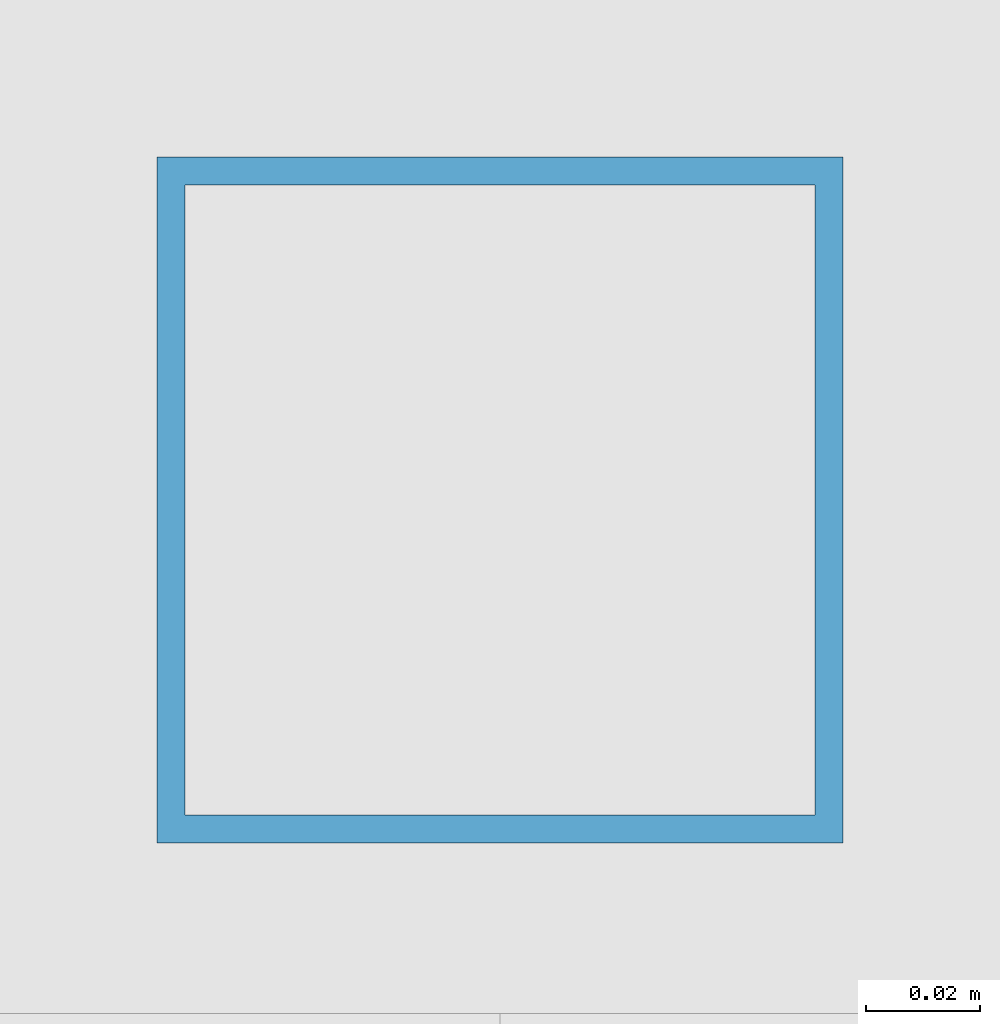
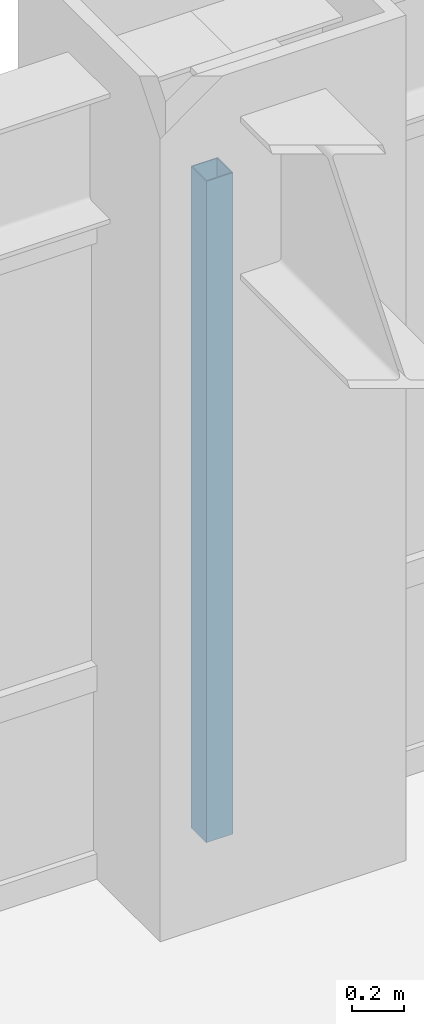
# One storey, part 16 of 28: 1 member, 1 element without a shape of its own.
"""IFC4 building model written with IfcOpenShell, lengths in metres."""

from ifc_helpers import new_model, si_unit, direction, frame, origin, origin_2d, place, context, subcontext, project, spatial, hollow_rectangle, extrude, source, transform, mapped, material, material_profile, profile_set, type_object, element, aggregate, save


model = new_model("IFC4")

# Units and contexts
model_context = context("Model", 3, precision=1e-05, world=origin(), true_north=direction((0.0, 1.0)))
body_context = subcontext(model_context, "Body", "Model", "MODEL_VIEW")
ifc_project = project(units=[si_unit("LENGTHUNIT", "METRE"), si_unit("AREAUNIT", "SQUARE_METRE"), si_unit("VOLUMEUNIT", "CUBIC_METRE"), si_unit("PLANEANGLEUNIT", "RADIAN"), si_unit("MASSUNIT", "GRAM", prefix="KILO")], contexts=[model_context])

# Site, building, storey
site_placement = place(None, origin())
site = spatial("IfcSite", under=ifc_project, at=site_placement, CompositionType="ELEMENT")
building_placement = place(site_placement, origin())
building = spatial("IfcBuilding", under=site, at=building_placement, Name="Khorayat Bourse Tower", CompositionType="ELEMENT")
storey_placement = place(building_placement, frame((0.0, 0.0, 187.10009765625)))
storey = spatial("IfcBuildingStorey", under=building, at=storey_placement, Name="L43", CompositionType="ELEMENT", Elevation=187.10009765625)

# Curtain wall, member
ifc_material = material(Name="Aluminium EN AW-6063 T6", Category="aluminium")
curtain_wall_type = type_object("IfcCurtainWallType", Name="CW-SYS-03", PredefinedType="NOTDEFINED", material=ifc_material)
curtain_wall_placement = place(storey_placement, origin())
curtain_wall = element("IfcCurtainWall", 1, at=curtain_wall_placement, inside=storey, type_object=curtain_wall_type, Name="L43 Curtain Wall CW-L43-N1", PredefinedType="NOTDEFINED")
ifc_material_profile = material_profile(ifc_material, hollow_rectangle(XDim=0.1201171875, YDim=0.1201171875, WallThickness=0.0048828125, at=origin_2d()), Name="ALU 120x120x5")
ifc_profile_set = profile_set([ifc_material_profile], Name="Aluminium EN AW-6063 T6")
member_type = type_object("IfcMemberType", Name="CWM-VERT-120", PredefinedType="MULLION", material=ifc_profile_set)
shared_shape = source(origin(), body_context, "Body", "SweptSolid", [
    extrude(hollow_rectangle(XDim=0.1201171875, YDim=0.1201171875, WallThickness=0.0048828125, at=origin_2d()), origin(), (0.0, 0.0, 1.0), 3.1298828125),
])
member_placement = place(storey_placement, frame((0.0, 30.0, 0.0), z_axis=(0.0, 0.0, 1.0), x_axis=(0.0, 1.0, 0.0)))
member = element("IfcMember", 2, at=member_placement, type_object=member_type, Name="CW-L43-N1 Vertical Mullion 2", PredefinedType="MULLION", context=body_context, shape_type="MappedRepresentation", body=[
    mapped(shared_shape, transform((0.0, 0.0, 0.0), scale=1.0)),
])
aggregate(curtain_wall, [member])

save(model, "model.ifc")
